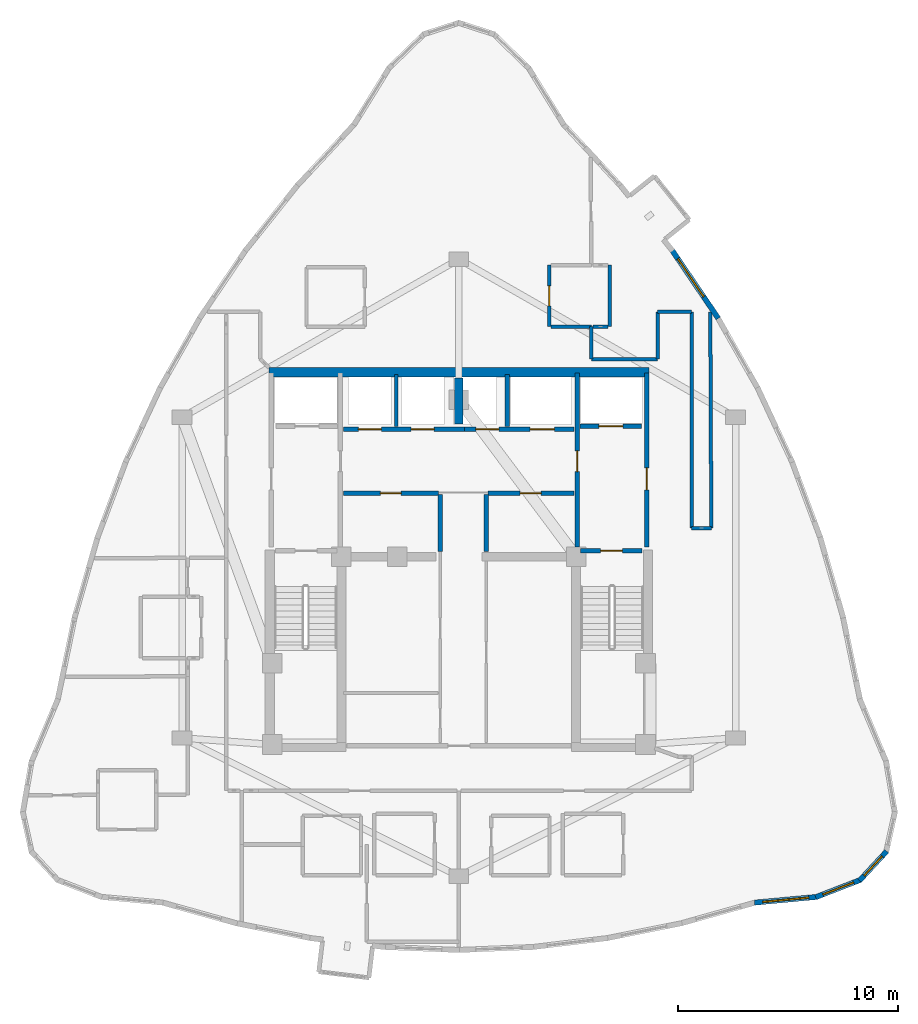
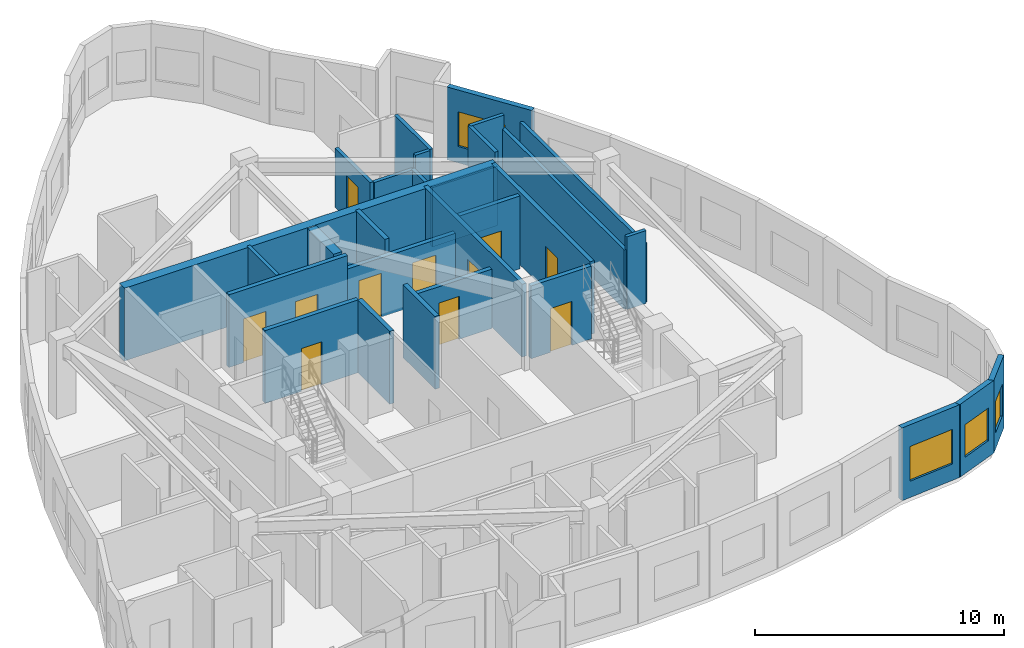
# One storey, part 10 of 13: 29 walls, 11 doors, 4 windows, 15 openings.
"""IFC4 building model written with IfcOpenShell, lengths in metres."""

from ifc_helpers import new_model, si_unit, direction, frame, frame_2d, origin, place, context, subcontext, project, spatial, rectangle, extrude, material, layer, layer_set, type_object, element, fill, save


model = new_model("IFC4")

# Units and contexts
model_context = context("Model", 3, precision=1e-05, world=origin(), true_north=direction((0.0, 1.0)))
body_context = subcontext(model_context, "Body", "Model", "MODEL_VIEW")
ifc_project = project(units=[si_unit("LENGTHUNIT", "METRE"), si_unit("AREAUNIT", "SQUARE_METRE"), si_unit("VOLUMEUNIT", "CUBIC_METRE"), si_unit("PLANEANGLEUNIT", "RADIAN"), si_unit("MASSUNIT", "GRAM", prefix="KILO")], contexts=[model_context])

# Site, building, storey
site_placement = place(None, origin())
site = spatial("IfcSite", under=ifc_project, at=site_placement, CompositionType="ELEMENT")
building_placement = place(site_placement, origin())
building = spatial("IfcBuilding", under=site, at=building_placement, Name="Miruveldt Soraemaru", CompositionType="ELEMENT")
storey_placement = place(building_placement, frame((0.0, 0.0, 252.0)))
storey = spatial("IfcBuildingStorey", under=building, at=storey_placement, Name="L69", CompositionType="ELEMENT", Elevation=252.0)

# Walls
ifc_material_1 = material(Name="Concrete C70/85 (70 MPa)", Category="concrete")
ifc_layer_1 = layer(ifc_material_1, 0.5, Name="Concrete C70/85 (70 MPa)", Category="concrete")
ifc_layer_set_1 = layer_set([ifc_layer_1], Name="Concrete C70/85 (70 MPa)")
wall_type_1 = type_object("IfcWallType", Name="WALL-BW-500", PredefinedType="SHEAR", material=ifc_layer_set_1)
wall_1_placement = place(storey_placement, frame((44.0, 50.10009765625, 0.0), z_axis=(0.0, 0.0, 1.0), x_axis=(0.0, 1.0, 0.0)))
element("IfcWall", 1, at=wall_1_placement, inside=storey, type_object=wall_type_1, Name="L69 Core Buttress Shear Wall BN", PredefinedType="SHEAR", context=body_context, shape_type="SweptSolid", body=[
    extrude(rectangle(XDim=2.099853515625, YDim=0.39990234375, at=frame_2d((1.0498046875, 0.0))), origin(), (0.0, 0.0, 1.0), 3.56494140625),
])
ifc_material_2 = material(Name="Concrete C50/60 (50 MPa)", Category="concrete")
ifc_layer_2 = layer(ifc_material_2, 0.419921875, Name="Concrete C50/60 (50 MPa)", Category="concrete")
ifc_layer_set_2 = layer_set([ifc_layer_2], Name="Concrete C50/60 (50 MPa)")
wall_type_2 = type_object("IfcWallType", Name="WALL-CW-420", PredefinedType="SHEAR", material=ifc_layer_set_2)
wall_2_placement = place(storey_placement, frame((35.35009765625, 52.449951171875, 0.0), z_axis=(0.0, 0.0, 1.0), x_axis=(1.0, 0.0, 0.0)))
element("IfcWall", 2, at=wall_2_placement, inside=storey, type_object=wall_type_2, Name="L69 Central Core Shear Wall N", PredefinedType="SHEAR", context=body_context, shape_type="SweptSolid", body=[
    extrude(rectangle(XDim=17.2998046875, YDim=0.419921875, at=frame_2d((8.64990234375, 0.0))), origin(), (0.0, 0.0, 1.0), 3.56494140625),
])

# Wall, opening, window
ifc_material_3 = material(Name="Precast concrete C45/55 (45 MPa)", Category="concrete")
ifc_layer_3 = layer(ifc_material_3, 0.239990234375, Name="Precast concrete C45/55 (45 MPa)", Category="concrete")
ifc_layer_set_3 = layer_set([ifc_layer_3], Name="Precast concrete C45/55 (45 MPa)")
wall_type_3 = type_object("IfcWallType", Name="WALL-EXT-PC240", PredefinedType="SOLIDWALL", material=ifc_layer_set_3)
wall_3_placement = place(storey_placement, frame((57.46435546875, 28.30078125, 0.0), z_axis=(0.0, 0.0, 1.0), x_axis=(0.99576007386, 0.091988452029, 0.0)))
wall_3 = element("IfcWall", 3, at=wall_3_placement, inside=storey, type_object=wall_type_3, Name="L69 Precast Concrete Facade Wall 29", PredefinedType="SOLIDWALL", context=body_context, shape_type="SweptSolid", body=[
    extrude(rectangle(XDim=2.86376953125, YDim=0.239990234375, at=frame_2d((1.431884765625, 0.0))), origin(), (0.0, 0.0, 1.0), 3.56494140625),
])
opening_1_placement = place(wall_3_placement, frame((0.382080078125, 0.0, 0.800048828125)))
opening_1 = element("IfcOpeningElement", 4, at=opening_1_placement, cuts=wall_3, Name="Opening WN-1", PredefinedType="OPENING", context=body_context, shape_type="SweptSolid", body=[
    extrude(rectangle(XDim=2.10009765625, YDim=1.699951171875, at=frame_2d((1.050048828125, 0.85009765625))), frame((0.0, 0.1298828125, 0.0), z_axis=(0.0, -1.0, 0.0), x_axis=(1.0, 0.0, 0.0)), (0.0, 0.0, 1.0), 0.260009765625),
])
ifc_material_4 = material(Name="Triple low-e insulated glazing", Category="glass")
window_type_1 = type_object("IfcWindowType", Name="WIN-PUNCH-2100x1700", PartitioningType="SINGLE_PANEL", PredefinedType="WINDOW", material=ifc_material_4)
window_1_placement = place(opening_1_placement, origin())
window_1 = element("IfcWindow", 5, at=window_1_placement, inside=storey, type_object=window_type_1, Name="L69 Punched Triple-Glazed Window 29.1", OverallHeight=1.699951171875, OverallWidth=2.10009765625, PartitioningType="SINGLE_PANEL", PredefinedType="WINDOW", context=body_context, shape_type="SweptSolid", body=[
    extrude(rectangle(XDim=2.10009765625, YDim=1.699951171875, at=frame_2d((1.050048828125, 0.85009765625))), frame((0.0, 0.030029296875, 0.0), z_axis=(0.0, -1.0, 0.0), x_axis=(1.0, 0.0, 0.0)), (0.0, 0.0, 1.0), 0.06005859375),
])
fill(opening_1, window_1)

wall_4_placement = place(storey_placement, frame((60.248291015625, 28.54833984375, 0.0), z_axis=(0.0, 0.0, 1.0), x_axis=(0.932289565547, 0.361712822516, 0.0)))
wall_4 = element("IfcWall", 6, at=wall_4_placement, inside=storey, type_object=wall_type_3, Name="L69 Precast Concrete Facade Wall 30", PredefinedType="SOLIDWALL", context=body_context, shape_type="SweptSolid", body=[
    extrude(rectangle(XDim=2.200927734375, YDim=0.239990234375, at=frame_2d((1.1005859375, 0.0))), origin(), (0.0, 0.0, 1.0), 3.56494140625),
])
opening_2_placement = place(wall_4_placement, frame((0.35107421875, 0.0, 0.800048828125)))
opening_2 = element("IfcOpeningElement", 7, at=opening_2_placement, cuts=wall_4, Name="Opening WN-3", PredefinedType="OPENING", context=body_context, shape_type="SweptSolid", body=[
    extrude(rectangle(XDim=1.5, YDim=1.60009765625, at=frame_2d((0.75, 0.800048828125))), frame((0.0, 0.1298828125, 0.0), z_axis=(0.0, -1.0, 0.0), x_axis=(1.0, 0.0, 0.0)), (0.0, 0.0, 1.0), 0.260009765625),
])
window_type_2 = type_object("IfcWindowType", Name="WIN-PUNCH-1500x1600", PartitioningType="SINGLE_PANEL", PredefinedType="WINDOW", material=ifc_material_4)
window_2_placement = place(opening_2_placement, origin())
window_2 = element("IfcWindow", 8, at=window_2_placement, inside=storey, type_object=window_type_2, Name="L69 Punched Triple-Glazed Window 30.1", OverallHeight=1.60009765625, OverallWidth=1.5, PartitioningType="SINGLE_PANEL", PredefinedType="WINDOW", context=body_context, shape_type="SweptSolid", body=[
    extrude(rectangle(XDim=1.5, YDim=1.60009765625, at=frame_2d((0.75, 0.800048828125))), frame((0.0, 0.030029296875, 0.0), z_axis=(0.0, -1.0, 0.0), x_axis=(1.0, 0.0, 0.0)), (0.0, 0.0, 1.0), 0.06005859375),
])
fill(opening_2, window_2)

wall_5_placement = place(storey_placement, frame((62.243896484375, 29.30615234375, 0.0), z_axis=(0.0, 0.0, 1.0), x_axis=(0.680158207142, 0.733065354015, 0.0)))
wall_5 = element("IfcWall", 9, at=wall_5_placement, inside=storey, type_object=wall_type_3, Name="L69 Precast Concrete Facade Wall 31", PredefinedType="SOLIDWALL", context=body_context, shape_type="SweptSolid", body=[
    extrude(rectangle(XDim=1.82275390625, YDim=0.239990234375, at=frame_2d((0.911376953125, 0.0))), origin(), (0.0, 0.0, 1.0), 3.56494140625),
])
opening_3_placement = place(wall_5_placement, frame((0.31103515625, 0.0, 0.780029296875)))
opening_3 = element("IfcOpeningElement", 10, at=opening_3_placement, cuts=wall_5, Name="Opening WN-4", PredefinedType="OPENING", context=body_context, shape_type="SweptSolid", body=[
    extrude(rectangle(XDim=1.199951171875, YDim=1.550048828125, at=frame_2d((0.60009765625, 0.77490234375))), frame((0.0, 0.1298828125, 0.0), z_axis=(0.0, -1.0, 0.0), x_axis=(1.0, 0.0, 0.0)), (0.0, 0.0, 1.0), 0.260009765625),
])
window_type_3 = type_object("IfcWindowType", Name="WIN-PUNCH-1200x1550", PartitioningType="SINGLE_PANEL", PredefinedType="WINDOW", material=ifc_material_4)
window_3_placement = place(opening_3_placement, origin())
window_3 = element("IfcWindow", 11, at=window_3_placement, inside=storey, type_object=window_type_3, Name="L69 Punched Triple-Glazed Window 31.1", OverallHeight=1.550048828125, OverallWidth=1.199951171875, PartitioningType="SINGLE_PANEL", PredefinedType="WINDOW", context=body_context, shape_type="SweptSolid", body=[
    extrude(rectangle(XDim=1.199951171875, YDim=1.550048828125, at=frame_2d((0.60009765625, 0.77490234375))), frame((0.0, 0.030029296875, 0.0), z_axis=(0.0, -1.0, 0.0), x_axis=(1.0, 0.0, 0.0)), (0.0, 0.0, 1.0), 0.06005859375),
])
fill(opening_3, window_3)

wall_6_placement = place(storey_placement, frame((55.814453125, 54.90478515625, 0.0), z_axis=(0.0, 0.0, 1.0), x_axis=(-0.560812433684, 0.827942881016, 0.0)))
wall_6 = element("IfcWall", 12, at=wall_6_placement, inside=storey, type_object=wall_type_3, Name="L69 Precast Concrete Facade Wall 40", PredefinedType="SOLIDWALL", context=body_context, shape_type="SweptSolid", body=[
    extrude(rectangle(XDim=3.779052734375, YDim=0.239990234375, at=frame_2d((1.8896484375, 0.0))), origin(), (0.0, 0.0, 1.0), 3.56494140625),
])
opening_4_placement = place(wall_6_placement, frame((1.18505859375, 0.0, 0.800048828125)))
opening_4 = element("IfcOpeningElement", 13, at=opening_4_placement, cuts=wall_6, Name="Opening WN-1", PredefinedType="OPENING", context=body_context, shape_type="SweptSolid", body=[
    extrude(rectangle(XDim=2.10009765625, YDim=1.699951171875, at=frame_2d((1.050048828125, 0.85009765625))), frame((0.0, 0.1298828125, 0.0), z_axis=(0.0, -1.0, 0.0), x_axis=(1.0, 0.0, 0.0)), (0.0, 0.0, 1.0), 0.260009765625),
])
window_4_placement = place(opening_4_placement, origin())
window_4 = element("IfcWindow", 14, at=window_4_placement, inside=storey, type_object=window_type_1, Name="L69 Punched Triple-Glazed Window 40.1", OverallHeight=1.699951171875, OverallWidth=2.10009765625, PartitioningType="SINGLE_PANEL", PredefinedType="WINDOW", context=body_context, shape_type="SweptSolid", body=[
    extrude(rectangle(XDim=2.10009765625, YDim=1.699951171875, at=frame_2d((1.050048828125, 0.85009765625))), frame((0.0, 0.030029296875, 0.0), z_axis=(0.0, -1.0, 0.0), x_axis=(1.0, 0.0, 0.0)), (0.0, 0.0, 1.0), 0.06005859375),
])
fill(opening_4, window_4)

# Wall, opening, door
ifc_material_5 = material(Name="Concrete C40/50 (40 MPa)", Category="concrete")
ifc_layer_4 = layer(ifc_material_5, 0.159912109375, Name="Concrete C40/50 (40 MPa)", Category="concrete")
ifc_layer_set_4 = layer_set([ifc_layer_4], Name="Concrete C40/50 (40 MPa)")
wall_type_4 = type_object("IfcWallType", Name="WALL-INT-RC160", PredefinedType="SOLIDWALL", material=ifc_layer_set_4)
wall_7_placement = place(storey_placement, frame((48.115966796875, 57.330078125, 0.0), z_axis=(0.0, 0.0, 1.0), x_axis=(0.0, -1.0, 0.0)))
wall_7 = element("IfcWall", 15, at=wall_7_placement, inside=storey, type_object=wall_type_4, Name="L69 Partition Wall 18", PredefinedType="SOLIDWALL", context=body_context, shape_type="SweptSolid", body=[
    extrude(rectangle(XDim=2.800048828125, YDim=0.159912109375, at=frame_2d((1.39990234375, 0.0))), origin(), (0.0, 0.0, 1.0), 2.903076171875),
])
opening_5_placement = place(wall_7_placement, frame((0.93994140625, 0.0, 0.0)))
opening_5 = element("IfcOpeningElement", 16, at=opening_5_placement, cuts=wall_7, Name="Opening D3A", PredefinedType="OPENING", context=body_context, shape_type="SweptSolid", body=[
    extrude(rectangle(XDim=0.919921875, YDim=2.10009765625, at=frame_2d((0.4599609375, 1.050048828125))), frame((0.0, 0.08984375, 0.0), z_axis=(0.0, -1.0, 0.0), x_axis=(1.0, 0.0, 0.0)), (0.0, 0.0, 1.0), 0.179931640625),
])
ifc_material_6 = material(Name="Anodised aluminium EN AW-6063 T6", Category="aluminium")
door_type_1 = type_object("IfcDoorType", Name="DOOR-INT-920", OperationType="NOTDEFINED", PredefinedType="DOOR", material=ifc_material_6)
door_1_placement = place(opening_5_placement, origin())
door_1 = element("IfcDoor", 17, at=door_1_placement, inside=storey, type_object=door_type_1, Name="L69 Unit 6901 KIT Door", OperationType="SINGLE_SWING_LEFT", OverallHeight=2.10009765625, OverallWidth=0.919921875, PredefinedType="DOOR", context=body_context, shape_type="SweptSolid", body=[
    extrude(rectangle(XDim=0.919921875, YDim=2.10009765625, at=frame_2d((0.4599609375, 1.050048828125))), frame((0.0, 0.02490234375, 0.0), z_axis=(0.0, -1.0, 0.0), x_axis=(1.0, 0.0, 0.0)), (0.0, 0.0, 1.0), 0.050048828125),
])
fill(opening_5, door_1)

# Walls
wall_8_placement = place(storey_placement, frame((55.448974609375, 55.202880859375, 0.0), z_axis=(0.0, 0.0, 1.0), x_axis=(0.004686867306, -0.999989016577, 0.0)))
element("IfcWall", 18, at=wall_8_placement, inside=storey, type_object=wall_type_4, Name="L69 Partition Wall 68", PredefinedType="SOLIDWALL", context=body_context, shape_type="SweptSolid", body=[
    extrude(rectangle(XDim=9.844970703125, YDim=0.159912109375, at=frame_2d((4.92236328125, 0.0))), origin(), (0.0, 0.0, 1.0), 2.903076171875),
])
wall_9_placement = place(storey_placement, frame((54.60009765625, 45.35791015625, 0.0), z_axis=(0.0, 0.0, 1.0), x_axis=(0.0, 1.0, 0.0)))
element("IfcWall", 19, at=wall_9_placement, inside=storey, type_object=wall_type_4, Name="L69 Partition Wall 70", PredefinedType="SOLIDWALL", context=body_context, shape_type="SweptSolid", body=[
    extrude(rectangle(XDim=9.842041015625, YDim=0.159912109375, at=frame_2d((4.9208984375, 0.0))), origin(), (0.0, 0.0, 1.0), 2.903076171875),
])
wall_10_placement = place(storey_placement, frame((53.047119140625, 53.050048828125, 0.0), z_axis=(0.0, 0.0, 1.0), x_axis=(-1.0, 0.0, 0.0)))
element("IfcWall", 20, at=wall_10_placement, inside=storey, type_object=wall_type_4, Name="L69 Partition Wall 73", PredefinedType="SOLIDWALL", context=body_context, shape_type="SweptSolid", body=[
    extrude(rectangle(XDim=3.01220703125, YDim=0.159912109375, at=frame_2d((1.506103515625, 0.0))), origin(), (0.0, 0.0, 1.0), 2.903076171875),
])
wall_11_placement = place(storey_placement, frame((50.865966796875, 54.530029296875, 0.0), z_axis=(0.0, 0.0, 1.0), x_axis=(0.0, 1.0, 0.0)))
element("IfcWall", 21, at=wall_11_placement, inside=storey, type_object=wall_type_4, Name="L69 Partition Wall 25", PredefinedType="SOLIDWALL", context=body_context, shape_type="SweptSolid", body=[
    extrude(rectangle(XDim=2.800048828125, YDim=0.159912109375, at=frame_2d((1.39990234375, 0.0))), origin(), (0.0, 0.0, 1.0), 3.56494140625),
])
wall_12_placement = place(storey_placement, frame((41.14990234375, 49.97998046875, 0.0), z_axis=(0.0, 0.0, 1.0), x_axis=(0.0, 1.0, 0.0)))
element("IfcWall", 22, at=wall_12_placement, inside=storey, type_object=wall_type_4, Name="L69 Core Compartment Wall PLH-DIV1", PredefinedType="SOLIDWALL", context=body_context, shape_type="SweptSolid", body=[
    extrude(rectangle(XDim=2.3701171875, YDim=0.159912109375, at=frame_2d((1.18505859375, 0.0))), origin(), (0.0, 0.0, 1.0), 3.56494140625),
])
wall_13_placement = place(storey_placement, frame((53.050048828125, 55.199951171875, 0.0), z_axis=(0.0, 0.0, 1.0), x_axis=(0.0, -1.0, 0.0)))
element("IfcWall", 23, at=wall_13_placement, inside=storey, type_object=wall_type_4, Name="L69 Partition Wall 72", PredefinedType="SOLIDWALL", context=body_context, shape_type="SweptSolid", body=[
    extrude(rectangle(XDim=2.14697265625, YDim=0.159912109375, at=frame_2d((1.073486328125, 0.0))), origin(), (0.0, 0.0, 1.0), 3.56494140625),
])
wall_14_placement = place(storey_placement, frame((48.196044921875, 54.530029296875, 0.0), z_axis=(0.0, 0.0, 1.0), x_axis=(1.0, 0.0, 0.0)))
element("IfcWall", 24, at=wall_14_placement, inside=storey, type_object=wall_type_4, Name="L69 Partition Wall 19", PredefinedType="SOLIDWALL", context=body_context, shape_type="SweptSolid", body=[
    extrude(rectangle(XDim=1.848876953125, YDim=0.159912109375, at=frame_2d((0.92431640625, 0.0))), origin(), (0.0, 0.0, 1.0), 2.903076171875),
])
wall_15_placement = place(storey_placement, frame((54.60009765625, 55.199951171875, 0.0), z_axis=(0.0, 0.0, 1.0), x_axis=(-1.0, 0.0, 0.0)))
element("IfcWall", 25, at=wall_15_placement, inside=storey, type_object=wall_type_4, Name="L69 Partition Wall 71", PredefinedType="SOLIDWALL", context=body_context, shape_type="SweptSolid", body=[
    extrude(rectangle(XDim=1.550048828125, YDim=0.159912109375, at=frame_2d((0.77490234375, 0.0))), origin(), (0.0, 0.0, 1.0), 3.56494140625),
])
wall_16_placement = place(storey_placement, frame((50.034912109375, 53.050048828125, 0.0), z_axis=(0.0, 0.0, 1.0), x_axis=(0.0, 1.0, 0.0)))
element("IfcWall", 26, at=wall_16_placement, inside=storey, type_object=wall_type_4, Name="L69 Partition Wall 20", PredefinedType="SOLIDWALL", context=body_context, shape_type="SweptSolid", body=[
    extrude(rectangle(XDim=1.47998046875, YDim=0.159912109375, at=frame_2d((0.739990234375, 0.0))), origin(), (0.0, 0.0, 1.0), 2.903076171875),
])
wall_17_placement = place(storey_placement, frame((55.4951171875, 45.35791015625, 0.0), z_axis=(0.0, 0.0, 1.0), x_axis=(-1.0, 0.0, 0.0)))
element("IfcWall", 27, at=wall_17_placement, inside=storey, type_object=wall_type_4, Name="L69 Partition Wall 69", PredefinedType="SOLIDWALL", context=body_context, shape_type="SweptSolid", body=[
    extrude(rectangle(XDim=0.89501953125, YDim=0.159912109375, at=frame_2d((0.447509765625, 0.0))), origin(), (0.0, 0.0, 1.0), 3.56494140625),
])
wall_18_placement = place(storey_placement, frame((50.114990234375, 54.530029296875, 0.0), z_axis=(0.0, 0.0, 1.0), x_axis=(1.0, 0.0, 0.0)))
element("IfcWall", 28, at=wall_18_placement, inside=storey, type_object=wall_type_4, Name="L69 Partition Wall 24", PredefinedType="SOLIDWALL", context=body_context, shape_type="SweptSolid", body=[
    extrude(rectangle(XDim=0.6708984375, YDim=0.159912109375, at=frame_2d((0.33544921875, 0.0))), origin(), (0.0, 0.0, 1.0), 3.56494140625),
])

# Wall, opening, door
ifc_layer_5 = layer(ifc_material_5, 0.199951171875, Name="Concrete C40/50 (40 MPa)", Category="concrete")
ifc_layer_set_5 = layer_set([ifc_layer_5], Name="Concrete C40/50 (40 MPa)")
wall_type_5 = type_object("IfcWallType", Name="WALL-INT-RC200", PredefinedType="SOLIDWALL", material=ifc_layer_set_5)
wall_19_placement = place(storey_placement, frame((52.550048828125, 44.5, 0.0), z_axis=(0.0, 0.0, 1.0), x_axis=(0.0, 1.0, 0.0)))
wall_19 = element("IfcWall", 29, at=wall_19_placement, inside=storey, type_object=wall_type_5, Name="L69 Core Compartment Wall FFE-OUT", PredefinedType="SOLIDWALL", context=body_context, shape_type="SweptSolid", body=[
    extrude(rectangle(XDim=7.919921875, YDim=0.199951171875, at=frame_2d((3.9599609375, 0.0))), origin(), (0.0, 0.0, 1.0), 3.56494140625),
])
opening_6_placement = place(wall_19_placement, frame((2.60009765625, 0.0, 0.0)))
opening_6 = element("IfcOpeningElement", 30, at=opening_6_placement, cuts=wall_19, Name="Opening FD1", PredefinedType="OPENING", context=body_context, shape_type="SweptSolid", body=[
    extrude(rectangle(XDim=1.0, YDim=2.14990234375, at=frame_2d((0.5, 1.074951171875))), frame((0.0, 0.10986328125, 0.0), z_axis=(0.0, -1.0, 0.0), x_axis=(1.0, 0.0, 0.0)), (0.0, 0.0, 1.0), 0.219970703125),
])
door_type_2 = type_object("IfcDoorType", Name="DOOR-FD1-1000", OperationType="NOTDEFINED", PredefinedType="DOOR", material=ifc_material_6)
door_2_placement = place(opening_6_placement, frame((1.0, 0.0, 0.0), z_axis=(0.0, 0.0, 1.0), x_axis=(-1.0, 0.0, 0.0)))
door_2 = element("IfcDoor", 31, at=door_2_placement, inside=storey, type_object=door_type_2, Name="L69 East Firefighting Lobby Exit Door", OperationType="SINGLE_SWING_RIGHT", OverallHeight=2.14990234375, OverallWidth=1.0, PredefinedType="DOOR", context=body_context, shape_type="SweptSolid", body=[
    extrude(rectangle(XDim=1.0, YDim=2.14990234375, at=frame_2d((0.5, 1.074951171875))), frame((0.0, 0.02490234375, 0.0), z_axis=(0.0, -1.0, 0.0), x_axis=(1.0, 0.0, 0.0)), (0.0, 0.0, 1.0), 0.050048828125),
])
fill(opening_6, door_2)

wall_20_placement = place(storey_placement, frame((49.39990234375, 44.5, 0.0), z_axis=(0.0, 0.0, 1.0), x_axis=(0.0, 1.0, 0.0)))
wall_20 = element("IfcWall", 32, at=wall_20_placement, inside=storey, type_object=wall_type_5, Name="L69 Core Compartment Wall FFE-IN", PredefinedType="SOLIDWALL", context=body_context, shape_type="SweptSolid", body=[
    extrude(rectangle(XDim=7.919921875, YDim=0.199951171875, at=frame_2d((3.9599609375, 0.0))), origin(), (0.0, 0.0, 1.0), 3.56494140625),
])
opening_7_placement = place(wall_20_placement, frame((3.425048828125, 0.0, 0.0)))
opening_7 = element("IfcOpeningElement", 33, at=opening_7_placement, cuts=wall_20, Name="Opening FD2", PredefinedType="OPENING", context=body_context, shape_type="SweptSolid", body=[
    extrude(rectangle(XDim=0.949951171875, YDim=2.14990234375, at=frame_2d((0.47509765625, 1.074951171875))), frame((0.0, 0.10986328125, 0.0), z_axis=(0.0, -1.0, 0.0), x_axis=(1.0, 0.0, 0.0)), (0.0, 0.0, 1.0), 0.219970703125),
])
door_type_3 = type_object("IfcDoorType", Name="DOOR-FD2-950", OperationType="NOTDEFINED", PredefinedType="DOOR", material=ifc_material_6)
door_3_placement = place(opening_7_placement, origin())
door_3 = element("IfcDoor", 34, at=door_3_placement, inside=storey, type_object=door_type_3, Name="L69 Lift Lobby to East Fire Lobby Door", OperationType="SINGLE_SWING_LEFT", OverallHeight=2.14990234375, OverallWidth=0.949951171875, PredefinedType="DOOR", context=body_context, shape_type="SweptSolid", body=[
    extrude(rectangle(XDim=0.949951171875, YDim=2.14990234375, at=frame_2d((0.47509765625, 1.074951171875))), frame((0.0, 0.02490234375, 0.0), z_axis=(0.0, -1.0, 0.0), x_axis=(1.0, 0.0, 0.0)), (0.0, 0.0, 1.0), 0.050048828125),
])
fill(opening_7, door_3)

# Wall, openings, doors
wall_21_placement = place(storey_placement, frame((38.75, 49.85009765625, 0.0), z_axis=(0.0, 0.0, 1.0), x_axis=(1.0, 0.0, 0.0)))
wall_21 = element("IfcWall", 35, at=wall_21_placement, inside=storey, type_object=wall_type_5, Name="L69 Core Compartment Wall ROWA-SW", PredefinedType="SOLIDWALL", context=body_context, shape_type="SweptSolid", body=[
    extrude(rectangle(XDim=5.5, YDim=0.199951171875, at=frame_2d((2.75, 0.0))), origin(), (0.0, 0.0, 1.0), 3.56494140625),
])
opening_8_placement = place(wall_21_placement, frame((0.675048828125, 0.0, 0.0)))
opening_8 = element("IfcOpeningElement", 36, at=opening_8_placement, cuts=wall_21, Name="Opening LD1", PredefinedType="OPENING", context=body_context, shape_type="SweptSolid", body=[
    extrude(rectangle(XDim=1.050048828125, YDim=2.14990234375, at=frame_2d((0.52490234375, 1.074951171875))), frame((0.0, 0.10986328125, 0.0), z_axis=(0.0, -1.0, 0.0), x_axis=(1.0, 0.0, 0.0)), (0.0, 0.0, 1.0), 0.219970703125),
])
opening_9_placement = place(wall_21_placement, frame((3.074951171875, 0.0, 0.0)))
opening_9 = element("IfcOpeningElement", 37, at=opening_9_placement, cuts=wall_21, Name="Opening LD1", PredefinedType="OPENING", context=body_context, shape_type="SweptSolid", body=[
    extrude(rectangle(XDim=1.050048828125, YDim=2.14990234375, at=frame_2d((0.52490234375, 1.074951171875))), frame((0.0, 0.10986328125, 0.0), z_axis=(0.0, -1.0, 0.0), x_axis=(1.0, 0.0, 0.0)), (0.0, 0.0, 1.0), 0.219970703125),
])
door_type_4 = type_object("IfcDoorType", Name="DOOR-LD1-1050", OperationType="SLIDING_TO_LEFT", PredefinedType="DOOR", material=ifc_material_6)
door_4_placement = place(opening_8_placement, origin())
door_4 = element("IfcDoor", 38, at=door_4_placement, inside=storey, type_object=door_type_4, Name="L69 PL-H1 Landing Door", OperationType="SLIDING_TO_LEFT", OverallHeight=2.14990234375, OverallWidth=1.050048828125, PredefinedType="DOOR", context=body_context, shape_type="SweptSolid", body=[
    extrude(rectangle(XDim=1.050048828125, YDim=2.14990234375, at=frame_2d((0.52490234375, 1.074951171875))), frame((0.0, 0.02490234375, 0.0), z_axis=(0.0, -1.0, 0.0), x_axis=(1.0, 0.0, 0.0)), (0.0, 0.0, 1.0), 0.050048828125),
])
fill(opening_8, door_4)
door_5_placement = place(opening_9_placement, origin())
door_5 = element("IfcDoor", 39, at=door_5_placement, inside=storey, type_object=door_type_4, Name="L69 PL-H2 Landing Door", OperationType="SLIDING_TO_LEFT", OverallHeight=2.14990234375, OverallWidth=1.050048828125, PredefinedType="DOOR", context=body_context, shape_type="SweptSolid", body=[
    extrude(rectangle(XDim=1.050048828125, YDim=2.14990234375, at=frame_2d((0.52490234375, 1.074951171875))), frame((0.0, 0.02490234375, 0.0), z_axis=(0.0, -1.0, 0.0), x_axis=(1.0, 0.0, 0.0)), (0.0, 0.0, 1.0), 0.050048828125),
])
fill(opening_9, door_5)

wall_22_placement = place(storey_placement, frame((44.25, 49.85009765625, 0.0), z_axis=(0.0, 0.0, 1.0), x_axis=(1.0, 0.0, 0.0)))
wall_22 = element("IfcWall", 40, at=wall_22_placement, inside=storey, type_object=wall_type_5, Name="L69 Core Compartment Wall ROWA-SE", PredefinedType="SOLIDWALL", context=body_context, shape_type="SweptSolid", body=[
    extrude(rectangle(XDim=5.0, YDim=0.199951171875, at=frame_2d((2.5, 0.0))), origin(), (0.0, 0.0, 1.0), 2.903076171875),
])
opening_10_placement = place(wall_22_placement, frame((0.52490234375, 0.0, 0.0)))
opening_10 = element("IfcOpeningElement", 41, at=opening_10_placement, cuts=wall_22, Name="Opening LD1", PredefinedType="OPENING", context=body_context, shape_type="SweptSolid", body=[
    extrude(rectangle(XDim=1.050048828125, YDim=2.14990234375, at=frame_2d((0.52490234375, 1.074951171875))), frame((0.0, 0.10986328125, 0.0), z_axis=(0.0, -1.0, 0.0), x_axis=(1.0, 0.0, 0.0)), (0.0, 0.0, 1.0), 0.219970703125),
])
opening_11_placement = place(wall_22_placement, frame((3.0, 0.0, 0.0)))
opening_11 = element("IfcOpeningElement", 42, at=opening_11_placement, cuts=wall_22, Name="Opening LD2", PredefinedType="OPENING", context=body_context, shape_type="SweptSolid", body=[
    extrude(rectangle(XDim=1.10009765625, YDim=2.14990234375, at=frame_2d((0.550048828125, 1.074951171875))), frame((0.0, 0.10986328125, 0.0), z_axis=(0.0, -1.0, 0.0), x_axis=(1.0, 0.0, 0.0)), (0.0, 0.0, 1.0), 0.219970703125),
])
door_6_placement = place(opening_10_placement, origin())
door_6 = element("IfcDoor", 43, at=door_6_placement, inside=storey, type_object=door_type_4, Name="L69 PL-H3 Landing Door", OperationType="SLIDING_TO_LEFT", OverallHeight=2.14990234375, OverallWidth=1.050048828125, PredefinedType="DOOR", context=body_context, shape_type="SweptSolid", body=[
    extrude(rectangle(XDim=1.050048828125, YDim=2.14990234375, at=frame_2d((0.52490234375, 1.074951171875))), frame((0.0, 0.02490234375, 0.0), z_axis=(0.0, -1.0, 0.0), x_axis=(1.0, 0.0, 0.0)), (0.0, 0.0, 1.0), 0.050048828125),
])
fill(opening_10, door_6)
door_type_5 = type_object("IfcDoorType", Name="DOOR-LD2-1100", OperationType="SLIDING_TO_LEFT", PredefinedType="DOOR", material=ifc_material_6)
door_7_placement = place(opening_11_placement, origin())
door_7 = element("IfcDoor", 44, at=door_7_placement, inside=storey, type_object=door_type_5, Name="L69 SL-1 Landing Door", OperationType="SLIDING_TO_LEFT", OverallHeight=2.14990234375, OverallWidth=1.10009765625, PredefinedType="DOOR", context=body_context, shape_type="SweptSolid", body=[
    extrude(rectangle(XDim=1.10009765625, YDim=2.14990234375, at=frame_2d((0.550048828125, 1.074951171875))), frame((0.0, 0.02490234375, 0.0), z_axis=(0.0, -1.0, 0.0), x_axis=(1.0, 0.0, 0.0)), (0.0, 0.0, 1.0), 0.050048828125),
])
fill(opening_11, door_7)

# Wall, opening, door
wall_23_placement = place(storey_placement, frame((38.75, 46.949951171875, 0.0), z_axis=(0.0, 0.0, 1.0), x_axis=(1.0, 0.0, 0.0)))
wall_23 = element("IfcWall", 45, at=wall_23_placement, inside=storey, type_object=wall_type_5, Name="L69 Core Compartment Wall MBW-N", PredefinedType="SOLIDWALL", context=body_context, shape_type="SweptSolid", body=[
    extrude(rectangle(XDim=4.330078125, YDim=0.199951171875, at=frame_2d((2.1650390625, 0.0))), origin(), (0.0, 0.0, 1.0), 3.56494140625),
])
opening_12_placement = place(wall_23_placement, frame((1.675048828125, 0.0, 0.0)))
opening_12 = element("IfcOpeningElement", 46, at=opening_12_placement, cuts=wall_23, Name="Opening D2", PredefinedType="OPENING", context=body_context, shape_type="SweptSolid", body=[
    extrude(rectangle(XDim=0.949951171875, YDim=2.10009765625, at=frame_2d((0.47509765625, 1.050048828125))), frame((0.0, 0.10986328125, 0.0), z_axis=(0.0, -1.0, 0.0), x_axis=(1.0, 0.0, 0.0)), (0.0, 0.0, 1.0), 0.219970703125),
])
door_type_6 = type_object("IfcDoorType", Name="DOOR-INT-950", OperationType="NOTDEFINED", PredefinedType="DOOR", material=ifc_material_6)
door_8_placement = place(opening_12_placement, origin())
door_8 = element("IfcDoor", 47, at=door_8_placement, inside=storey, type_object=door_type_6, Name="L69 Fire Door", OperationType="SINGLE_SWING_LEFT", OverallHeight=2.10009765625, OverallWidth=0.949951171875, PredefinedType="DOOR", context=body_context, shape_type="SweptSolid", body=[
    extrude(rectangle(XDim=0.949951171875, YDim=2.10009765625, at=frame_2d((0.47509765625, 1.050048828125))), frame((0.0, 0.02490234375, 0.0), z_axis=(0.0, -1.0, 0.0), x_axis=(1.0, 0.0, 0.0)), (0.0, 0.0, 1.0), 0.050048828125),
])
fill(opening_12, door_8)

wall_24_placement = place(storey_placement, frame((45.320068359375, 46.949951171875, 0.0), z_axis=(0.0, 0.0, 1.0), x_axis=(1.0, 0.0, 0.0)))
wall_24 = element("IfcWall", 48, at=wall_24_placement, inside=storey, type_object=wall_type_5, Name="L69 Core Compartment Wall MBE-N", PredefinedType="SOLIDWALL", context=body_context, shape_type="SweptSolid", body=[
    extrude(rectangle(XDim=3.929931640625, YDim=0.199951171875, at=frame_2d((1.96484375, 0.0))), origin(), (0.0, 0.0, 1.0), 2.903076171875),
])
opening_13_placement = place(wall_24_placement, frame((1.47509765625, 0.0, 0.0)))
opening_13 = element("IfcOpeningElement", 49, at=opening_13_placement, cuts=wall_24, Name="Opening D2", PredefinedType="OPENING", context=body_context, shape_type="SweptSolid", body=[
    extrude(rectangle(XDim=0.949951171875, YDim=2.10009765625, at=frame_2d((0.47509765625, 1.050048828125))), frame((0.0, 0.10986328125, 0.0), z_axis=(0.0, -1.0, 0.0), x_axis=(1.0, 0.0, 0.0)), (0.0, 0.0, 1.0), 0.219970703125),
])
door_9_placement = place(opening_13_placement, origin())
door_9 = element("IfcDoor", 50, at=door_9_placement, inside=storey, type_object=door_type_6, Name="L69 Fire Door", OperationType="SINGLE_SWING_LEFT", OverallHeight=2.10009765625, OverallWidth=0.949951171875, PredefinedType="DOOR", context=body_context, shape_type="SweptSolid", body=[
    extrude(rectangle(XDim=0.949951171875, YDim=2.10009765625, at=frame_2d((0.47509765625, 1.050048828125))), frame((0.0, 0.02490234375, 0.0), z_axis=(0.0, -1.0, 0.0), x_axis=(1.0, 0.0, 0.0)), (0.0, 0.0, 1.0), 0.050048828125),
])
fill(opening_13, door_9)

wall_25_placement = place(storey_placement, frame((49.550048828125, 44.320068359375, 0.0), z_axis=(0.0, 0.0, 1.0), x_axis=(1.0, 0.0, 0.0)))
wall_25 = element("IfcWall", 51, at=wall_25_placement, inside=storey, type_object=wall_type_5, Name="L69 Core Compartment Wall ST2-N", PredefinedType="SOLIDWALL", context=body_context, shape_type="SweptSolid", body=[
    extrude(rectangle(XDim=2.800048828125, YDim=0.199951171875, at=frame_2d((1.39990234375, 0.0))), origin(), (0.0, 0.0, 1.0), 3.56494140625),
])
opening_14_placement = place(wall_25_placement, frame((0.89990234375, 0.0, 0.0)))
opening_14 = element("IfcOpeningElement", 52, at=opening_14_placement, cuts=wall_25, Name="Opening FD1", PredefinedType="OPENING", context=body_context, shape_type="SweptSolid", body=[
    extrude(rectangle(XDim=1.0, YDim=2.14990234375, at=frame_2d((0.5, 1.074951171875))), frame((0.0, 0.10986328125, 0.0), z_axis=(0.0, -1.0, 0.0), x_axis=(1.0, 0.0, 0.0)), (0.0, 0.0, 1.0), 0.219970703125),
])
door_10_placement = place(opening_14_placement, frame((1.0, 0.0, 0.0), z_axis=(0.0, 0.0, 1.0), x_axis=(-1.0, 0.0, 0.0)))
door_10 = element("IfcDoor", 53, at=door_10_placement, inside=storey, type_object=door_type_2, Name="L69 Stair ST-2 Fire Door", OperationType="SINGLE_SWING_RIGHT", OverallHeight=2.14990234375, OverallWidth=1.0, PredefinedType="DOOR", context=body_context, shape_type="SweptSolid", body=[
    extrude(rectangle(XDim=1.0, YDim=2.14990234375, at=frame_2d((0.5, 1.074951171875))), frame((0.0, 0.02490234375, 0.0), z_axis=(0.0, -1.0, 0.0), x_axis=(1.0, 0.0, 0.0)), (0.0, 0.0, 1.0), 0.050048828125),
])
fill(opening_14, door_10)

wall_26_placement = place(storey_placement, frame((49.52001953125, 50.0, 0.0), z_axis=(0.0, 0.0, 1.0), x_axis=(1.0, 0.0, 0.0)))
wall_26 = element("IfcWall", 54, at=wall_26_placement, inside=storey, type_object=wall_type_5, Name="L69 Core Compartment Wall FFL2-S", PredefinedType="SOLIDWALL", context=body_context, shape_type="SweptSolid", body=[
    extrude(rectangle(XDim=2.800048828125, YDim=0.199951171875, at=frame_2d((1.39990234375, 0.0))), origin(), (0.0, 0.0, 1.0), 3.56494140625),
])
opening_15_placement = place(wall_26_placement, frame((0.85009765625, 0.0, 0.0)))
opening_15 = element("IfcOpeningElement", 55, at=opening_15_placement, cuts=wall_26, Name="Opening LD2", PredefinedType="OPENING", context=body_context, shape_type="SweptSolid", body=[
    extrude(rectangle(XDim=1.10009765625, YDim=2.14990234375, at=frame_2d((0.550048828125, 1.074951171875))), frame((0.0, 0.10986328125, 0.0), z_axis=(0.0, -1.0, 0.0), x_axis=(1.0, 0.0, 0.0)), (0.0, 0.0, 1.0), 0.219970703125),
])
door_11_placement = place(opening_15_placement, origin())
door_11 = element("IfcDoor", 56, at=door_11_placement, inside=storey, type_object=door_type_5, Name="L69 FFL-2 Landing Door", OperationType="SLIDING_TO_LEFT", OverallHeight=2.14990234375, OverallWidth=1.10009765625, PredefinedType="DOOR", context=body_context, shape_type="SweptSolid", body=[
    extrude(rectangle(XDim=1.10009765625, YDim=2.14990234375, at=frame_2d((0.550048828125, 1.074951171875))), frame((0.0, 0.02490234375, 0.0), z_axis=(0.0, -1.0, 0.0), x_axis=(1.0, 0.0, 0.0)), (0.0, 0.0, 1.0), 0.050048828125),
])
fill(opening_15, door_11)

# Walls
for number, where, z_axis, x_axis, name in (
    (57, (43.14990234375, 44.300048828125, 0.0), (0.0, 0.0, 1.0), (0.0, 1.0, 0.0), "L69 Core Compartment Wall SP-WB"),
    (58, (45.25, 44.300048828125, 0.0), (0.0, 0.0, 1.0), (0.0, 1.0, 0.0), "L69 Core Compartment Wall SP-EB"),
):
    element("IfcWall", number, at=place(storey_placement, frame(where, z_axis=z_axis, x_axis=x_axis)), inside=storey, type_object=wall_type_5, Name=name, PredefinedType="SOLIDWALL", context=body_context, shape_type="SweptSolid", body=[
        extrude(rectangle(XDim=2.579833984375, YDim=0.199951171875, at=frame_2d((1.2900390625, 0.0))), origin(), (0.0, 0.0, 1.0), 3.56494140625),
    ])
wall_27_placement = place(storey_placement, frame((46.199951171875, 49.97998046875, 0.0), z_axis=(0.0, 0.0, 1.0), x_axis=(0.0, 1.0, 0.0)))
element("IfcWall", 59, at=wall_27_placement, inside=storey, type_object=wall_type_5, Name="L69 Core Compartment Wall PLH-SL-DIV", PredefinedType="SOLIDWALL", context=body_context, shape_type="SweptSolid", body=[
    extrude(rectangle(XDim=2.3701171875, YDim=0.199951171875, at=frame_2d((1.18505859375, 0.0))), origin(), (0.0, 0.0, 1.0), 3.56494140625),
])

save(model, "model.ifc")
